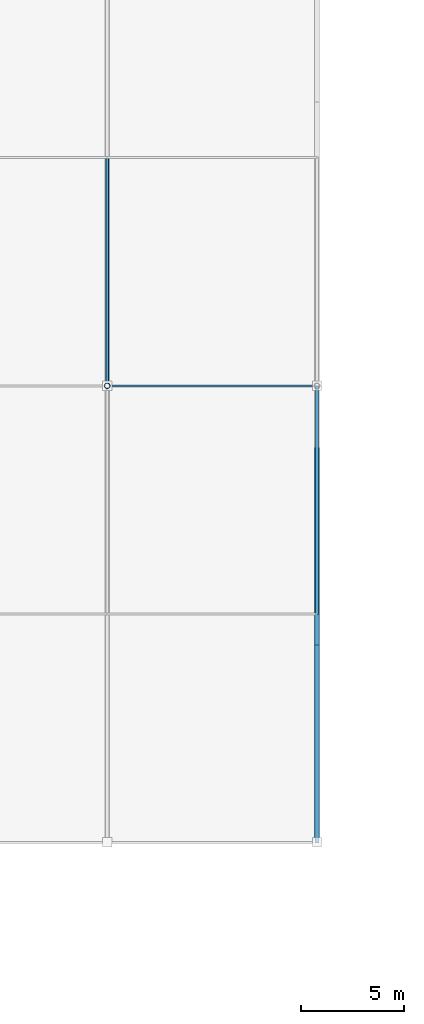
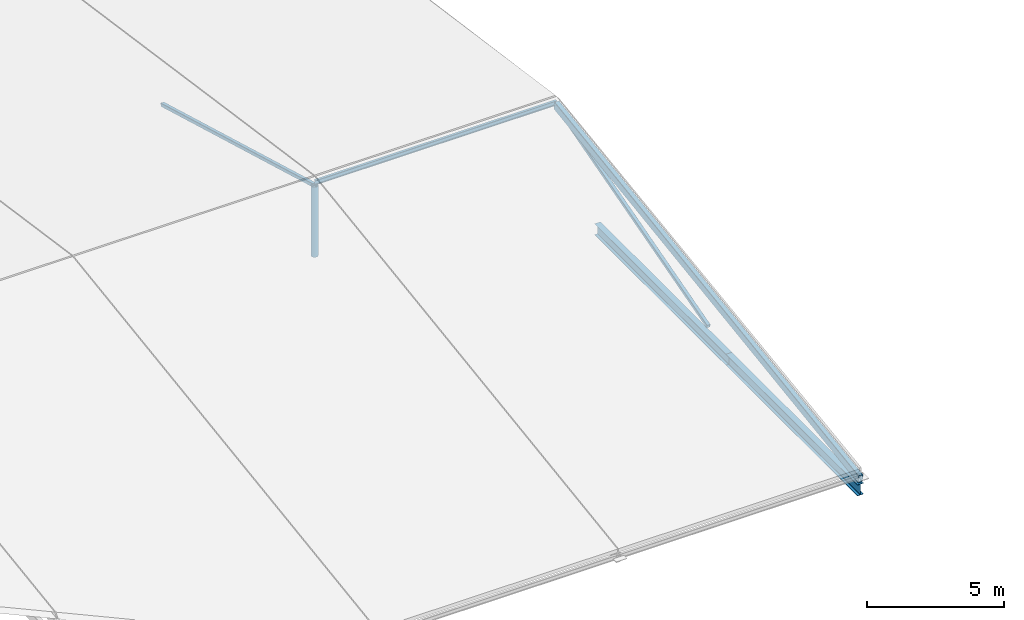
# One storey, part 89 of 135: 5 members, 2 beams.
"""IFC4 building model written with IfcOpenShell, lengths in metres."""

import ifcopenshell
import ifcopenshell.guid

model = None  # the IFC model being written
_history = None  # IfcOwnerHistory: only IFC2X3 demands one
_inside = {}  # id of a spatial element -> (the spatial element, [elements in it])
_under = {}  # id of a project, library or spatial element -> (it, [spatial elements below it])
_declared = {}  # id of a project -> (the project, [libraries it declares])
_typed = {}  # id of a type object -> (the type object, [elements of that type])
_made_of = {}  # id of a material, layer set ... -> (it, [elements and type objects made of it])


def new_model(schema):
    """Start an empty IFC model of exactly this schema.

    Asked for "IFC4X3", IfcOpenShell would pick the latest addendum, in which some entities
    have other attributes; the version numbers below select the first issue.
    IFC2X3 requires an IfcOwnerHistory on every rooted entity: one is made here for all.
    """
    global model, _history
    if schema == "IFC4X3":
        model = ifcopenshell.file(schema_version=(4, 3, 0, 0))
    else:
        model = ifcopenshell.file(schema=schema)
    _inside.clear()
    _under.clear()
    _declared.clear()
    _typed.clear()
    _made_of.clear()
    _history = None
    if model.schema == "IFC2X3":
        org = make("IfcOrganization", Name="unknown")
        user = make(
            "IfcPersonAndOrganization",
            ThePerson=make("IfcPerson", FamilyName="unknown"),
            TheOrganization=org,
        )
        app = make(
            "IfcApplication",
            ApplicationDeveloper=org,
            Version="unknown",
            ApplicationFullName="unknown",
            ApplicationIdentifier="unknown",
        )
        _history = make(
            "IfcOwnerHistory",
            OwningUser=user,
            OwningApplication=app,
            ChangeAction="ADDED",
            CreationDate=0,
        )
    return model


def make(cls, **values):
    """One entity of the class cls with the attributes given. An attribute that is None is left unset."""
    return model.create_entity(
        cls, **{name: value for name, value in values.items() if value is not None}
    )


def rooted(cls, **values):
    """An entity with a GlobalId (a new one), such as an element, a storey or a relation."""
    return make(cls, GlobalId=ifcopenshell.guid.new(), OwnerHistory=_history, **values)


def si_unit(unit_type, name, prefix=None):
    """IfcSIUnit, for example si_unit("LENGTHUNIT", "METRE", prefix="MILLI")."""
    return make("IfcSIUnit", UnitType=unit_type, Prefix=prefix, Name=name)


def assignment(units):
    """IfcUnitAssignment: the units of a project."""
    return None if units is None else make("IfcUnitAssignment", Units=units)


def point(xyz):
    """IfcCartesianPoint."""
    return None if xyz is None else make("IfcCartesianPoint", Coordinates=xyz)


def direction(xyz):
    """IfcDirection."""
    return None if xyz is None else make("IfcDirection", DirectionRatios=xyz)


def frame(location, z_axis=None, x_axis=None):
    """IfcAxis2Placement3D, a coordinate frame: its origin and axes. An axis left out is left unset."""
    return make(
        "IfcAxis2Placement3D",
        Location=point(location),
        Axis=direction(z_axis),
        RefDirection=direction(x_axis),
    )


def frame_2d(location, x_axis=None):
    """IfcAxis2Placement2D, a coordinate frame in the plane: its origin and x axis."""
    return make(
        "IfcAxis2Placement2D", Location=point(location), RefDirection=direction(x_axis)
    )


def origin():
    """The frame at (0, 0, 0) with its axes left unset."""
    return frame((0.0, 0.0, 0.0))


def origin_2d():
    """The frame at (0, 0) in the plane with its x axis left unset."""
    return frame_2d((0.0, 0.0))


def place(relative_to, where):
    """IfcLocalPlacement: puts the frame where relative to a parent placement (None: the world)."""
    return make(
        "IfcLocalPlacement", PlacementRelTo=relative_to, RelativePlacement=where
    )


def context(
    kind, dimensions, precision=None, world=None, true_north=None, identifier=None
):
    """IfcGeometricRepresentationContext, for example the 3D "Model" context."""
    return make(
        "IfcGeometricRepresentationContext",
        ContextIdentifier=identifier,
        ContextType=kind,
        CoordinateSpaceDimension=dimensions,
        Precision=precision,
        WorldCoordinateSystem=world,
        TrueNorth=true_north,
    )


def subcontext(parent, identifier, kind, view, scale=None):
    """IfcGeometricRepresentationSubContext, for example "Body" below "Model"."""
    return make(
        "IfcGeometricRepresentationSubContext",
        ContextIdentifier=identifier,
        ContextType=kind,
        ParentContext=parent,
        TargetScale=scale,
        TargetView=view,
    )


def project(units=None, contexts=None):
    """IfcProject with its units and contexts."""
    return rooted(
        "IfcProject",
        Name="project",
        RepresentationContexts=contexts,
        UnitsInContext=assignment(units),
    )


def spatial(cls, under=None, at=None, **own):
    """A site, building, storey or space (cls), placed at a placement, below another one or the project."""
    s = rooted(cls, ObjectPlacement=at, **own)
    if under is not None:
        _under.setdefault(under.id(), (under, []))[1].append(s)
    return s


def profile(cls, at=None, kind="AREA", **sizes):
    """A parametric profile (cls). Its sizes go by their IFC names, for example OverallWidth=200.0."""
    return make(cls, ProfileType=kind, Position=at, **sizes)


def hollow_rectangle(**sizes):
    """IfcRectangleHollowProfileDef."""
    return profile("IfcRectangleHollowProfileDef", **sizes)


def hollow_circle(**sizes):
    """IfcCircleHollowProfileDef."""
    return profile("IfcCircleHollowProfileDef", **sizes)


def i_section(**sizes):
    """IfcIShapeProfileDef."""
    return profile("IfcIShapeProfileDef", **sizes)


def extrude(swept, where, along, depth):
    """IfcExtrudedAreaSolid: the profile swept, set in the frame where, extruded along a direction by depth."""
    return make(
        "IfcExtrudedAreaSolid",
        SweptArea=swept,
        Position=where,
        ExtrudedDirection=direction(along),
        Depth=depth,
    )


def shape(context_of_items, identifier, shape_type, items):
    """IfcShapeRepresentation: the items that make up one representation, for example the "Body"."""
    return make(
        "IfcShapeRepresentation",
        ContextOfItems=context_of_items,
        RepresentationIdentifier=identifier,
        RepresentationType=shape_type,
        Items=items,
    )


def material(Name=None, Category=None):
    """IfcMaterial."""
    return make("IfcMaterial", Name=Name, Category=Category)


def material_profile(
    of_material, cross_section, Name=None, Category=None, Priority=None
):
    """IfcMaterialProfile: a cross section and its material."""
    return make(
        "IfcMaterialProfile",
        Name=Name,
        Material=of_material,
        Profile=cross_section,
        Priority=Priority,
        Category=Category,
    )


def profile_set(profiles, Name=None, composite=None):
    """IfcMaterialProfileSet."""
    return make(
        "IfcMaterialProfileSet",
        Name=Name,
        MaterialProfiles=profiles,
        CompositeProfile=composite,
    )


def made_of(thing, what):
    """Note that an element or type object is made of a material, layer set ...; save() writes the relation."""
    if what is not None:
        _made_of.setdefault(what.id(), (what, []))[1].append(thing)
    return thing


def type_object(cls, material=None, **own):
    """A type object (cls), such as IfcWallType, which elements share."""
    return made_of(rooted(cls, **own), material)


def element(
    cls,
    number,
    at=None,
    inside=None,
    cuts=None,
    type_object=None,
    material=None,
    context=None,
    identifier="Body",
    shape_type=None,
    held_by="IfcProductDefinitionShape",
    body=None,
    shapes=None,
    **own,
):
    """One element of the class cls, such as IfcWall. Its Tag is "e" and its number.

    at: its placement. inside: the storey or other place that contains it. cuts: it is an
    opening in that element (IfcRelVoidsElement). A single representation is given by context,
    identifier, shape_type and body (its items); several are given by shapes. held_by: the class
    of the entity that holds the representations. save() writes the other relations.
    """
    e = rooted(cls, Tag="e%d" % number, ObjectPlacement=at, **own)
    if body is not None:
        shapes = [shape(context, identifier, shape_type, body)]
    if shapes is not None:
        e.Representation = make(held_by, Representations=shapes)
    if inside is not None:
        _inside.setdefault(inside.id(), (inside, []))[1].append(e)
    if cuts is not None:
        rooted(
            "IfcRelVoidsElement", RelatingBuildingElement=cuts, RelatedOpeningElement=e
        )
    if type_object is not None:
        _typed.setdefault(type_object.id(), (type_object, []))[1].append(e)
    return made_of(e, material)


def aggregate(whole, parts):
    """IfcRelAggregates: a whole, such as a stair, and the parts it consists of."""
    return rooted("IfcRelAggregates", RelatingObject=whole, RelatedObjects=parts)


def save(model, path):
    """Write the relations noted so far, then the file.

    IfcRelAggregates (storeys below a building ...), IfcRelContainedInSpatialStructure (elements
    in a storey), IfcRelDefinesByType, IfcRelAssociatesMaterial and IfcRelDeclares: one each for
    every whole, place, type object, material and project.
    """
    for whole, parts in _under.values():
        aggregate(whole, parts)
    for where, things in _inside.values():
        rooted(
            "IfcRelContainedInSpatialStructure",
            RelatedElements=things,
            RelatingStructure=where,
        )
    for kind, things in _typed.values():
        rooted("IfcRelDefinesByType", RelatedObjects=things, RelatingType=kind)
    for what, things in _made_of.values():
        rooted("IfcRelAssociatesMaterial", RelatedObjects=things, RelatingMaterial=what)
    for by, libraries in _declared.values():
        rooted("IfcRelDeclares", RelatingContext=by, RelatedDefinitions=libraries)
    model.write(path)


model = new_model("IFC4")

# Units and contexts
model_context = context("Model", 3, precision=1e-05, world=origin(), true_north=direction((0.0, 1.0)))
body_context = subcontext(model_context, "Body", "Model", "MODEL_VIEW")
ifc_project = project(units=[si_unit("LENGTHUNIT", "METRE"), si_unit("AREAUNIT", "SQUARE_METRE"), si_unit("VOLUMEUNIT", "CUBIC_METRE"), si_unit("PLANEANGLEUNIT", "RADIAN"), si_unit("MASSUNIT", "GRAM", prefix="KILO")], contexts=[model_context])

# Site, building, storey
site_placement = place(None, origin())
site = spatial("IfcSite", under=ifc_project, at=site_placement, CompositionType="ELEMENT")
building_placement = place(site_placement, origin())
building = spatial("IfcBuilding", under=site, at=building_placement, Name="Brelvane Convention Centre", CompositionType="ELEMENT")
storey_placement = place(building_placement, frame((0.0, 0.0, 15.0)))
storey = spatial("IfcBuildingStorey", under=building, at=storey_placement, Name="L03", CompositionType="ELEMENT", Elevation=15.0)

# Members
ifc_material_1 = material(Name="Steel E350 (350 MPa)", Category="steel")
ifc_material_profile_1 = material_profile(ifc_material_1, hollow_rectangle(XDim=0.14990234375, YDim=0.14990234375, WallThickness=0.008056640625, InnerFilletRadius=0.008056640625, OuterFilletRadius=0.01611328125, at=origin_2d()), Name="SHS 150x150x8.0")
ifc_profile_set_1 = profile_set([ifc_material_profile_1], Name="Steel E350 (350 MPa)")
member_type_1 = type_object("IfcMemberType", Name="Steel Brace TR-WB1 (SHS 150x150x8.0)", PredefinedType="BRACE", material=ifc_profile_set_1)
member_1_placement = place(storey_placement, frame((214.199951171875, 132.89990234375, -0.35009765625), z_axis=(0.0, -0.962463289152, 0.271411895529), x_axis=(1.0, 0.0, 0.0)))
element("IfcMember", 1, at=member_1_placement, inside=storey, type_object=member_type_1, Name="Ballroom Roof Truss Web 5-N", PredefinedType="BRACE", context=body_context, shape_type="SweptSolid", body=[
    extrude(hollow_rectangle(XDim=0.14990234375, YDim=0.14990234375, WallThickness=0.008056640625, InnerFilletRadius=0.008056640625, OuterFilletRadius=0.01611328125, at=origin_2d()), origin(), (0.0, 0.0, 1.0), 11.53271484375),
])
member_2_placement = place(storey_placement, frame((224.39990234375, 110.699951171875, -0.35009765625), z_axis=(0.0, 0.96246484853, 0.271406365702), x_axis=(-1.0, 0.0, 0.0)))
element("IfcMember", 2, at=member_2_placement, inside=storey, type_object=member_type_1, Name="Ballroom Roof Truss Web 6-S", PredefinedType="BRACE", context=body_context, shape_type="SweptSolid", body=[
    extrude(hollow_rectangle(XDim=0.14990234375, YDim=0.14990234375, WallThickness=0.008056640625, InnerFilletRadius=0.008056640625, OuterFilletRadius=0.01611328125, at=origin_2d()), origin(), (0.0, 0.0, 1.0), 11.532958984375),
])
ifc_material_2 = material(Name="Steel E350 (350 MPa)", Category="steel")
ifc_material_profile_2 = material_profile(ifc_material_2, hollow_rectangle(XDim=0.199951171875, YDim=0.35009765625, WallThickness=0.012451171875, InnerFilletRadius=0.012451171875, OuterFilletRadius=0.02490234375, at=origin_2d()), Name="RHS 350x200x12.5")
ifc_profile_set_2 = profile_set([ifc_material_profile_2], Name="Steel E350 (350 MPa)")
member_type_2 = type_object("IfcMemberType", Name="Steel Chord TR-CH1 (RHS 350x200x12.5)", PredefinedType="CHORD", material=ifc_profile_set_2)
member_3_placement = place(storey_placement, frame((224.39990234375, 99.60009765625, -0.419921875), z_axis=(0.0, 0.989770632644, 0.142667777568), x_axis=(-1.0, 0.0, 0.0)))
element("IfcMember", 3, at=member_3_placement, inside=storey, type_object=member_type_2, Name="Ballroom Roof Truss Top Chord T6-S", PredefinedType="CHORD", context=body_context, shape_type="SweptSolid", body=[
    extrude(hollow_rectangle(XDim=0.199951171875, YDim=0.35009765625, WallThickness=0.012451171875, InnerFilletRadius=0.012451171875, OuterFilletRadius=0.02490234375, at=origin_2d()), origin(), (0.0, 0.0, 1.0), 22.429443359375),
])
ifc_material_3 = material(Name="Steel E350 (350 MPa)", Category="steel")
ifc_material_profile_3 = material_profile(ifc_material_3, i_section(OverallWidth=0.10009765625, OverallDepth=0.199951171875, WebThickness=0.005615234375, FlangeThickness=0.0107421875, FilletRadius=0.010986328125, at=origin_2d()), Name="ISMB 200")
ifc_profile_set_3 = profile_set([ifc_material_profile_3], Name="Steel E350 (350 MPa)")
member_type_3 = type_object("IfcMemberType", Name="Steel Purlin PR-ST2 (ISMB 200)", PredefinedType="PURLIN", material=ifc_profile_set_3)
member_4_placement = place(storey_placement, frame((214.199951171875, 121.800048828125, 2.89990234375), z_axis=(1.0, 0.0, 0.0), x_axis=(0.0, 1.0, 0.0)))
element("IfcMember", 4, at=member_4_placement, inside=storey, type_object=member_type_3, Name="Ballroom Roof Purlin B5-P3", PredefinedType="PURLIN", context=body_context, shape_type="SweptSolid", body=[
    extrude(i_section(OverallWidth=0.10009765625, OverallDepth=0.199951171875, WebThickness=0.005615234375, FlangeThickness=0.0107421875, FilletRadius=0.010986328125, at=origin_2d()), origin(), (0.0, 0.0, 1.0), 10.199951171875),
])

# Beams
ifc_material_4 = material(Name="Steel E350 (350 MPa)", Category="steel")
ifc_material_profile_4 = material_profile(ifc_material_4, i_section(OverallWidth=0.25, OverallDepth=0.5, WebThickness=0.010009765625, FlangeThickness=0.0146484375, FilletRadius=0.01611328125, at=origin_2d()), Name="ISWB 500")
ifc_profile_set_4 = profile_set([ifc_material_profile_4], Name="Steel E350 (350 MPa)")
beam_type = type_object("IfcBeamType", Name="Steel Spandrel SP-ST1 (ISWB 500)", PredefinedType="SPANDREL", material=ifc_profile_set_4)
beam_1_placement = place(storey_placement, frame((224.39990234375, 99.60009765625, -0.89990234375), z_axis=(0.0, 1.0, 0.0), x_axis=(-1.0, 0.0, 0.0)))
element("IfcBeam", 5, at=beam_1_placement, inside=storey, type_object=beam_type, Name="Ballroom Gable Tie Girder E-1", PredefinedType="SPANDREL", context=body_context, shape_type="SweptSolid", body=[
    extrude(i_section(OverallWidth=0.25, OverallDepth=0.5, WebThickness=0.010009765625, FlangeThickness=0.0146484375, FilletRadius=0.01611328125, at=origin_2d()), origin(), (0.0, 0.0, 1.0), 9.599853515625),
])
beam_2_placement = place(storey_placement, frame((224.39990234375, 109.199951171875, -0.89990234375), z_axis=(0.0, 1.0, 0.0), x_axis=(-1.0, 0.0, 0.0)))
element("IfcBeam", 6, at=beam_2_placement, inside=storey, type_object=beam_type, Name="Ballroom Gable Tie Girder E-2", PredefinedType="SPANDREL", context=body_context, shape_type="SweptSolid", body=[
    extrude(i_section(OverallWidth=0.25, OverallDepth=0.5, WebThickness=0.010009765625, FlangeThickness=0.0146484375, FilletRadius=0.01611328125, at=origin_2d()), origin(), (0.0, 0.0, 1.0), 9.60009765625),
])

# Member
ifc_material_5 = material(Name="Steel E350 (350 MPa)", Category="steel")
ifc_material_profile_5 = material_profile(ifc_material_5, hollow_circle(Radius=0.136474609375, WallThickness=0.012451171875, at=origin_2d()), Name="CHS 273.0x12.5")
ifc_profile_set_5 = profile_set([ifc_material_profile_5], Name="Steel E350 (350 MPa)")
member_type_4 = type_object("IfcMemberType", Name="Steel Strut SF-VT1 (CHS 273.0x12.5)", PredefinedType="STRUT", material=ifc_profile_set_5)
member_5_placement = place(storey_placement, frame((214.199951171875, 121.800048828125, -0.35009765625), z_axis=(0.0, 0.0, 1.0), x_axis=(1.0, 0.0, 0.0)))
element("IfcMember", 7, at=member_5_placement, inside=storey, type_object=member_type_4, Name="Ballroom Roof Truss Kingpost 5", PredefinedType="STRUT", context=body_context, shape_type="SweptSolid", body=[
    extrude(hollow_circle(Radius=0.136474609375, WallThickness=0.012451171875, at=origin_2d()), origin(), (0.0, 0.0, 1.0), 3.130126953125),
])

save(model, "model.ifc")
